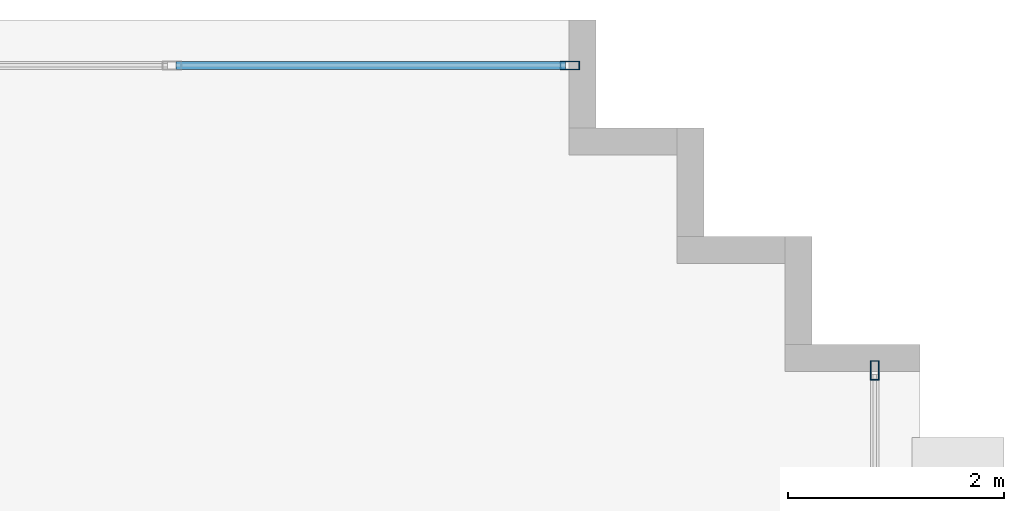
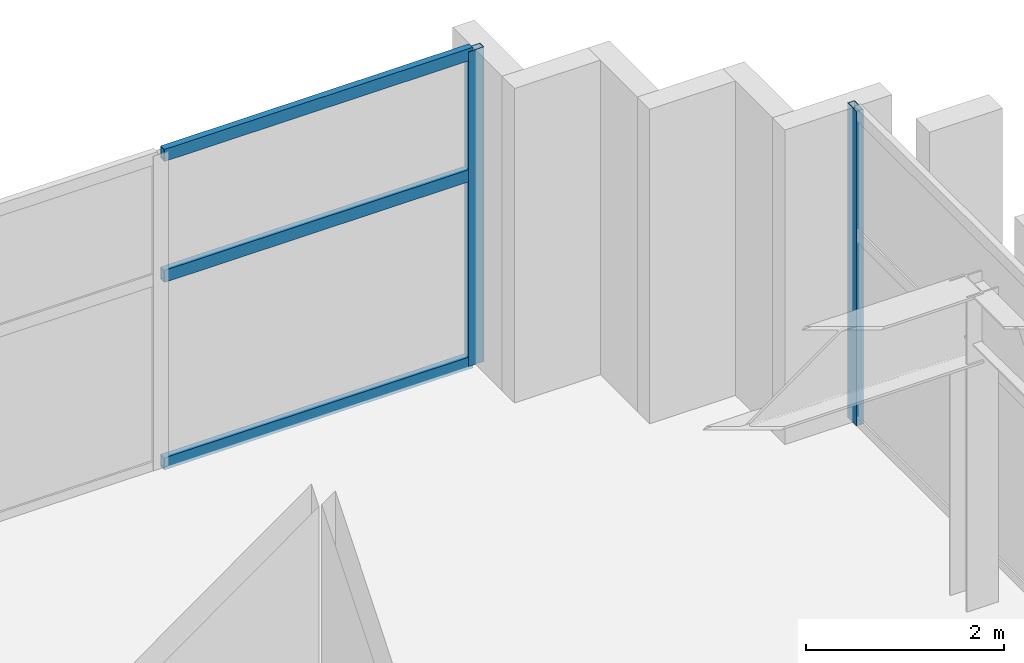
# One storey, part 9 of 15: 5 members, 2 elements without a shape of their own.
"""IFC4 building model written with IfcOpenShell, lengths in metres."""

from ifc_helpers import new_model, si_unit, direction, frame, origin, origin_2d, place, context, subcontext, project, spatial, hollow_rectangle, extrude, source, transform, mapped, material, layer, layer_set, material_profile, profile_set, type_object, element, aggregate, save


model = new_model("IFC4")

# Units and contexts
model_context = context("Model", 3, precision=1e-05, world=origin(), true_north=direction((0.0, 1.0)))
body_context = subcontext(model_context, "Body", "Model", "MODEL_VIEW")
ifc_project = project(units=[si_unit("LENGTHUNIT", "METRE"), si_unit("AREAUNIT", "SQUARE_METRE"), si_unit("VOLUMEUNIT", "CUBIC_METRE"), si_unit("PLANEANGLEUNIT", "RADIAN"), si_unit("MASSUNIT", "GRAM", prefix="KILO")], contexts=[model_context])

# Site, building, storey
site_placement = place(None, origin())
site = spatial("IfcSite", under=ifc_project, at=site_placement, CompositionType="ELEMENT")
building_placement = place(site_placement, origin())
building = spatial("IfcBuilding", under=site, at=building_placement, Name="Ocotamira Hotel", CompositionType="ELEMENT")
storey_placement = place(building_placement, frame((0.0, 0.0, 305.39990234375)))
storey = spatial("IfcBuildingStorey", under=building, at=storey_placement, Name="L78", CompositionType="ELEMENT", Elevation=305.39990234375)

# Curtain wall, members
ifc_material_1 = material(Name="Anodised pale-metal aluminium and solar glass", Category="aluminium")
ifc_layer = layer(ifc_material_1, 0.2099609375)
ifc_layer_set = layer_set([ifc_layer], Name="Anodised pale-metal aluminium and solar glass")
curtain_wall_type = type_object("IfcCurtainWallType", Name="CW-SYS7-PEAK", PredefinedType="NOTDEFINED", material=ifc_layer_set)
curtain_wall_1_placement = place(storey_placement, origin())
curtain_wall_1 = element("IfcCurtainWall", 1, at=curtain_wall_1_placement, inside=storey, type_object=curtain_wall_type, Name="L78 Curtain Wall CW-7 CW-L78-N", PredefinedType="NOTDEFINED")
ifc_material_2 = material(Name="Anodised pale-metal aluminium 6063-T6", Category="aluminium")
ifc_material_profile_1 = material_profile(ifc_material_2, hollow_rectangle(XDim=0.074951171875, YDim=0.14990234375, WallThickness=0.006103515625, at=origin_2d()), Name="HSS150X75X6")
ifc_profile_set_1 = profile_set([ifc_material_profile_1], Name="Anodised pale-metal aluminium 6063-T6")
member_type_1 = type_object("IfcMemberType", Name="CWT-150X75", PredefinedType="USERDEFINED", material=ifc_profile_set_1)
shared_shape_1 = source(origin(), body_context, "Body", "SweptSolid", [
    extrude(hollow_rectangle(XDim=0.074951171875, YDim=0.14990234375, WallThickness=0.006103515625, at=origin_2d()), origin(), (0.0, 0.0, 1.0), 3.599853515625),
])
member_1_placement = place(storey_placement, frame((26.1201171875, 43.580078125, 0.03759765625), z_axis=(1.0, 0.0, 0.0), x_axis=(0.0, 1.0, 0.0)))
member_1 = element("IfcMember", 2, at=member_1_placement, type_object=member_type_1, Name="CW-7 transom 5.1", ObjectType="TRANSOM", PredefinedType="USERDEFINED", context=body_context, shape_type="MappedRepresentation", body=[
    mapped(shared_shape_1, transform((0.0, 0.0, 0.0), scale=1.0)),
])
member_2_placement = place(storey_placement, frame((26.1201171875, 43.580078125, 2.35009765625), z_axis=(1.0, 0.0, 0.0), x_axis=(0.0, 1.0, 0.0)))
member_2 = element("IfcMember", 3, at=member_2_placement, type_object=member_type_1, Name="CW-7 transom 5.2", ObjectType="TRANSOM", PredefinedType="USERDEFINED", context=body_context, shape_type="MappedRepresentation", body=[
    mapped(shared_shape_1, transform((0.0, 0.0, 0.0), scale=1.0)),
])
member_3_placement = place(storey_placement, frame((26.1201171875, 43.580078125, 3.842529296875), z_axis=(1.0, 0.0, 0.0), x_axis=(0.0, 1.0, 0.0)))
member_3 = element("IfcMember", 4, at=member_3_placement, type_object=member_type_1, Name="CW-7 transom 5.3", ObjectType="TRANSOM", PredefinedType="USERDEFINED", context=body_context, shape_type="MappedRepresentation", body=[
    mapped(shared_shape_1, transform((0.0, 0.0, 0.0), scale=1.0)),
])
ifc_material_profile_2 = material_profile(ifc_material_2, hollow_rectangle(XDim=0.080078125, YDim=0.179931640625, WallThickness=0.006103515625, at=origin_2d()), Name="HSS180X80X6")
ifc_profile_set_2 = profile_set([ifc_material_profile_2], Name="Anodised pale-metal aluminium 6063-T6")
member_type_2 = type_object("IfcMemberType", Name="CWM-180X75", PredefinedType="MULLION", material=ifc_profile_set_2)
shared_shape_2 = source(origin(), body_context, "Body", "SweptSolid", [
    extrude(hollow_rectangle(XDim=0.080078125, YDim=0.179931640625, WallThickness=0.006103515625, at=origin_2d()), origin(), (0.0, 0.0, 1.0), 3.880126953125),
])
member_4_placement = place(storey_placement, frame((29.760009765625, 43.580078125, 0.0), z_axis=(0.0, 0.0, 1.0), x_axis=(0.0, 1.0, 0.0)))
member_4 = element("IfcMember", 5, at=member_4_placement, type_object=member_type_2, Name="CW-7 mullion 6", PredefinedType="MULLION", context=body_context, shape_type="MappedRepresentation", body=[
    mapped(shared_shape_2, transform((0.0, 0.0, 0.0), scale=1.0)),
])
aggregate(curtain_wall_1, [member_4, member_1, member_2, member_3])

# Curtain wall, member
curtain_wall_2_placement = place(storey_placement, origin())
curtain_wall_2 = element("IfcCurtainWall", 6, at=curtain_wall_2_placement, inside=storey, type_object=curtain_wall_type, Name="L78 Curtain Wall CW-7 CW-L78-E2", PredefinedType="NOTDEFINED")
member_5_placement = place(storey_placement, frame((32.580078125, 40.760009765625, 0.0), z_axis=(0.0, 0.0, 1.0), x_axis=(-1.0, 0.0, 0.0)))
member_5 = element("IfcMember", 7, at=member_5_placement, type_object=member_type_2, Name="CW-7 mullion 4", PredefinedType="MULLION", context=body_context, shape_type="MappedRepresentation", body=[
    mapped(shared_shape_2, transform((0.0, 0.0, 0.0), scale=1.0)),
])
aggregate(curtain_wall_2, [member_5])

save(model, "model.ifc")
